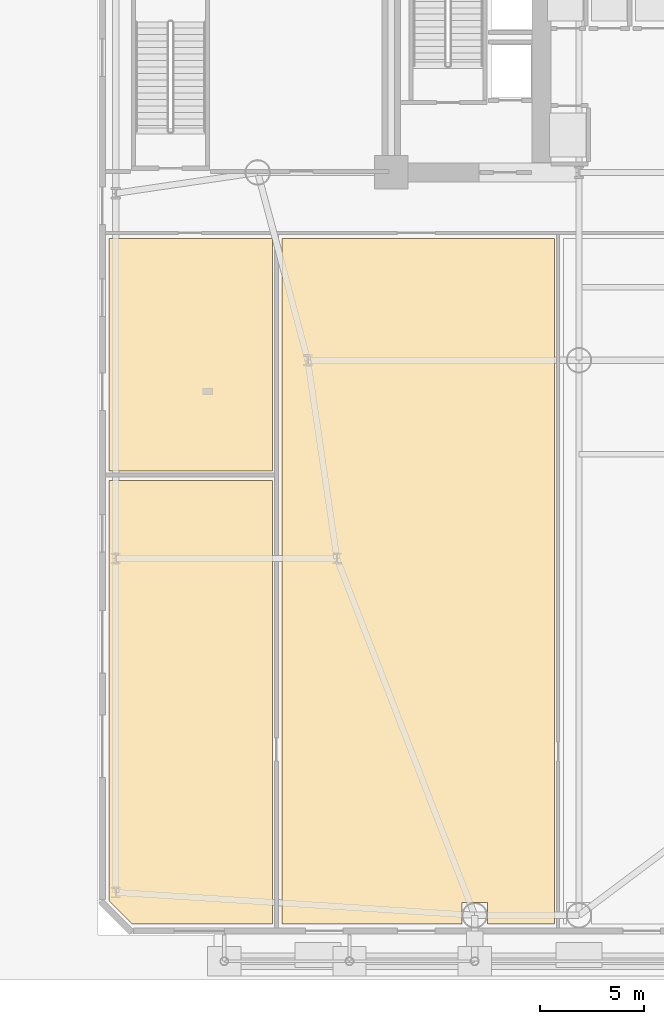
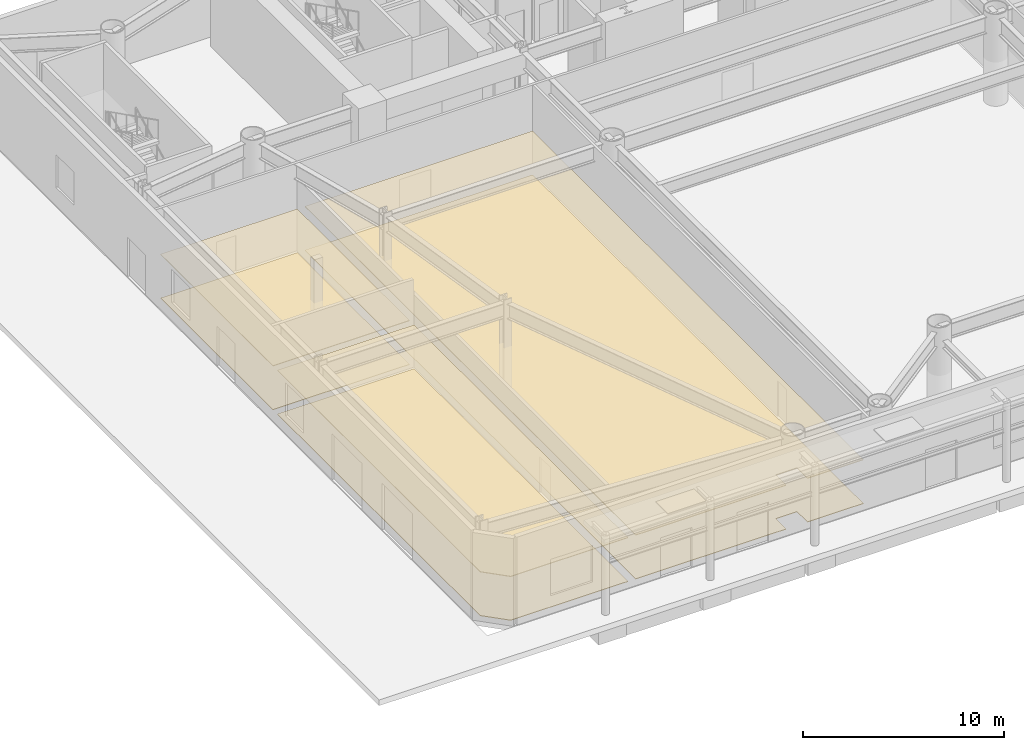
# One storey, part 13 of 20: 6 coverings.
"""IFC4 building model written with IfcOpenShell, lengths in metres."""

from ifc_helpers import new_model, si_unit, direction, frame, origin, place, context, subcontext, project, spatial, polyline, outline, extrude, material, layer, layer_set, type_object, element, save


model = new_model("IFC4")

# Units and contexts
model_context = context("Model", 3, precision=1e-05, world=origin(), true_north=direction((0.0, 1.0)))
body_context = subcontext(model_context, "Body", "Model", "MODEL_VIEW")
ifc_project = project(units=[si_unit("LENGTHUNIT", "METRE"), si_unit("AREAUNIT", "SQUARE_METRE"), si_unit("VOLUMEUNIT", "CUBIC_METRE"), si_unit("PLANEANGLEUNIT", "RADIAN"), si_unit("MASSUNIT", "GRAM", prefix="KILO")], contexts=[model_context])

# Site, building, storey
site_placement = place(None, origin())
site = spatial("IfcSite", under=ifc_project, at=site_placement, CompositionType="ELEMENT")
building_placement = place(site_placement, origin())
building = spatial("IfcBuilding", under=site, at=building_placement, Name="Vaeldorn Concourse Tower", CompositionType="ELEMENT")
storey_placement = place(building_placement, origin())
storey = spatial("IfcBuildingStorey", under=building, at=storey_placement, Name="L00", CompositionType="ELEMENT", Elevation=0.0)

# Coverings
ifc_material_1 = material(Name="Acoustic Mineral Fibre Board", Category="gypsum")
ifc_layer_1 = layer(ifc_material_1, 0.0400390625)
ifc_layer_set_1 = layer_set([ifc_layer_1], Name="Acoustic Mineral Fibre Board")
covering_type_1 = type_object("IfcCoveringType", Name="COV-CEIL-ACOUSTIC", PredefinedType="CEILING", material=ifc_layer_set_1)
covering_1_placement = place(storey_placement, frame((0.0, 0.0, 2.64990234375)))
element("IfcCovering", 1, at=covering_1_placement, inside=storey, type_object=covering_type_1, Name="Suspended Acoustic Ceiling L00-4", PredefinedType="CEILING", context=body_context, shape_type="SweptSolid", body=[
    extrude(outline(polyline([(0.47998046875, 33.340087890625), (8.320068359375, 33.340087890625), (8.320068359375, 22.179931640625), (0.47998046875, 22.179931640625), (0.47998046875, 33.340087890625)])), origin(), (0.0, 0.0, 1.0), 0.0400390625),
])
covering_2_placement = place(storey_placement, frame((0.0, 0.0, 2.64990234375)))
element("IfcCovering", 2, at=covering_2_placement, inside=storey, type_object=covering_type_1, Name="Suspended Acoustic Ceiling L00-5", PredefinedType="CEILING", context=body_context, shape_type="SweptSolid", body=[
    extrude(outline(polyline([(0.47998046875, 21.739990234375), (8.320068359375, 21.739990234375), (8.320068359375, 0.47998046875), (1.585693359375, 0.47998046875), (0.47998046875, 1.585693359375), (0.47998046875, 21.739990234375)])), origin(), (0.0, 0.0, 1.0), 0.0400390625),
])
covering_3_placement = place(storey_placement, frame((0.0, 0.0, 2.64990234375)))
element("IfcCovering", 3, at=covering_3_placement, inside=storey, type_object=covering_type_1, Name="Suspended Acoustic Ceiling L00-6", PredefinedType="CEILING", context=body_context, shape_type="SweptSolid", body=[
    extrude(outline(polyline([(8.760009765625, 33.340087890625), (21.820068359375, 33.340087890625), (21.820068359375, 0.47998046875), (18.609619140625, 0.47998046875), (18.609619140625, 1.509521484375), (17.390380859375, 1.509521484375), (17.390380859375, 0.47998046875), (8.760009765625, 0.47998046875), (8.760009765625, 33.340087890625)])), origin(), (0.0, 0.0, 1.0), 0.0400390625),
])
ifc_material_2 = material(Name="Honed Limestone Terrazzo Flooring", Category="masonry")
ifc_layer_2 = layer(ifc_material_2, 0.0400390625)
ifc_layer_set_2 = layer_set([ifc_layer_2], Name="Honed Limestone Terrazzo Flooring")
covering_type_2 = type_object("IfcCoveringType", Name="COV-FLOOR-STONE", PredefinedType="FLOORING", material=ifc_layer_set_2)
covering_4_placement = place(storey_placement, origin())
element("IfcCovering", 4, at=covering_4_placement, inside=storey, type_object=covering_type_2, Name="Floor Finish Covering L00-4", PredefinedType="FLOORING", context=body_context, shape_type="SweptSolid", body=[
    extrude(outline(polyline([(0.47998046875, 33.340087890625), (8.320068359375, 33.340087890625), (8.320068359375, 22.179931640625), (0.47998046875, 22.179931640625), (0.47998046875, 33.340087890625)])), origin(), (0.0, 0.0, 1.0), 0.030029296875),
])
covering_5_placement = place(storey_placement, origin())
element("IfcCovering", 5, at=covering_5_placement, inside=storey, type_object=covering_type_2, Name="Floor Finish Covering L00-5", PredefinedType="FLOORING", context=body_context, shape_type="SweptSolid", body=[
    extrude(outline(polyline([(0.47998046875, 21.739990234375), (8.320068359375, 21.739990234375), (8.320068359375, 0.47998046875), (1.585693359375, 0.47998046875), (0.47998046875, 1.585693359375), (0.47998046875, 21.739990234375)])), origin(), (0.0, 0.0, 1.0), 0.030029296875),
])
covering_6_placement = place(storey_placement, origin())
element("IfcCovering", 6, at=covering_6_placement, inside=storey, type_object=covering_type_2, Name="Floor Finish Covering L00-6", PredefinedType="FLOORING", context=body_context, shape_type="SweptSolid", body=[
    extrude(outline(polyline([(8.760009765625, 33.340087890625), (21.820068359375, 33.340087890625), (21.820068359375, 0.47998046875), (18.609619140625, 0.47998046875), (18.609619140625, 1.509521484375), (17.390380859375, 1.509521484375), (17.390380859375, 0.47998046875), (8.760009765625, 0.47998046875), (8.760009765625, 33.340087890625)])), origin(), (0.0, 0.0, 1.0), 0.030029296875),
])

save(model, "model.ifc")
